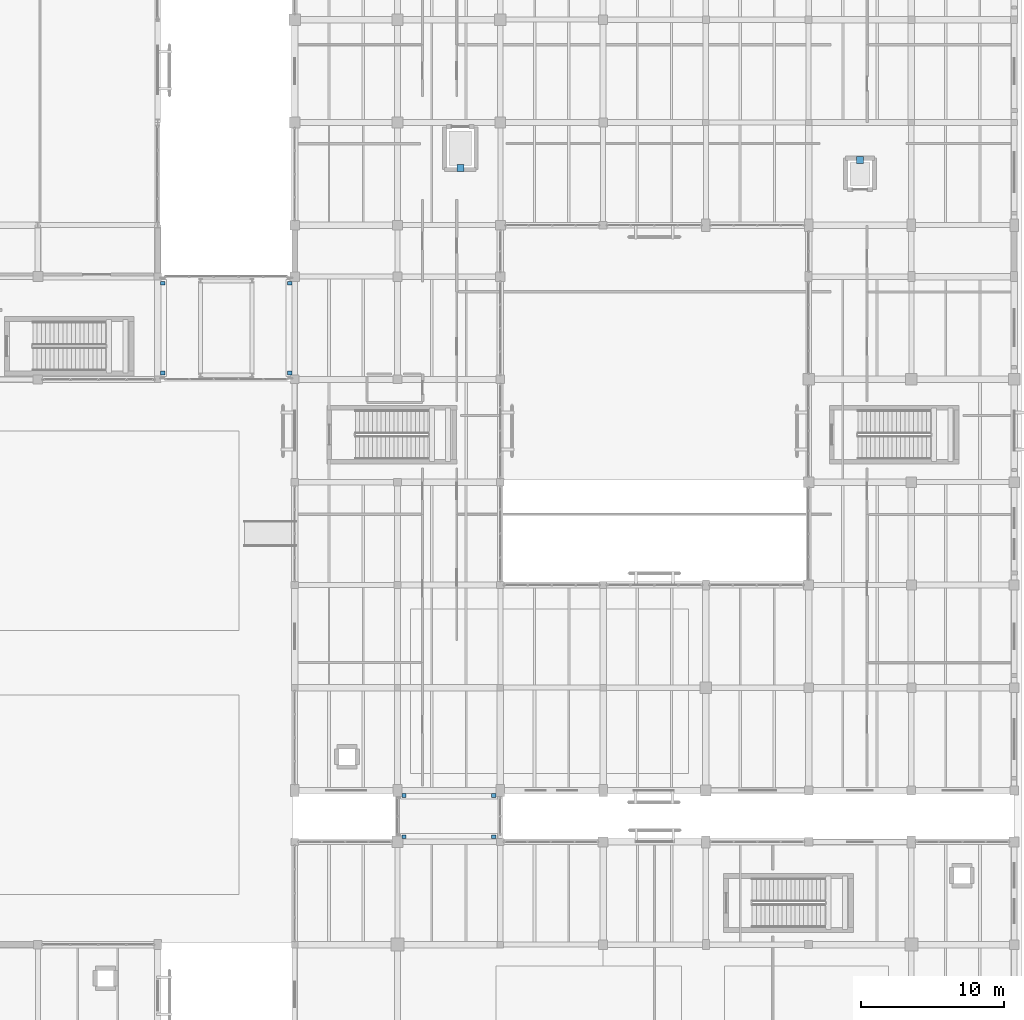
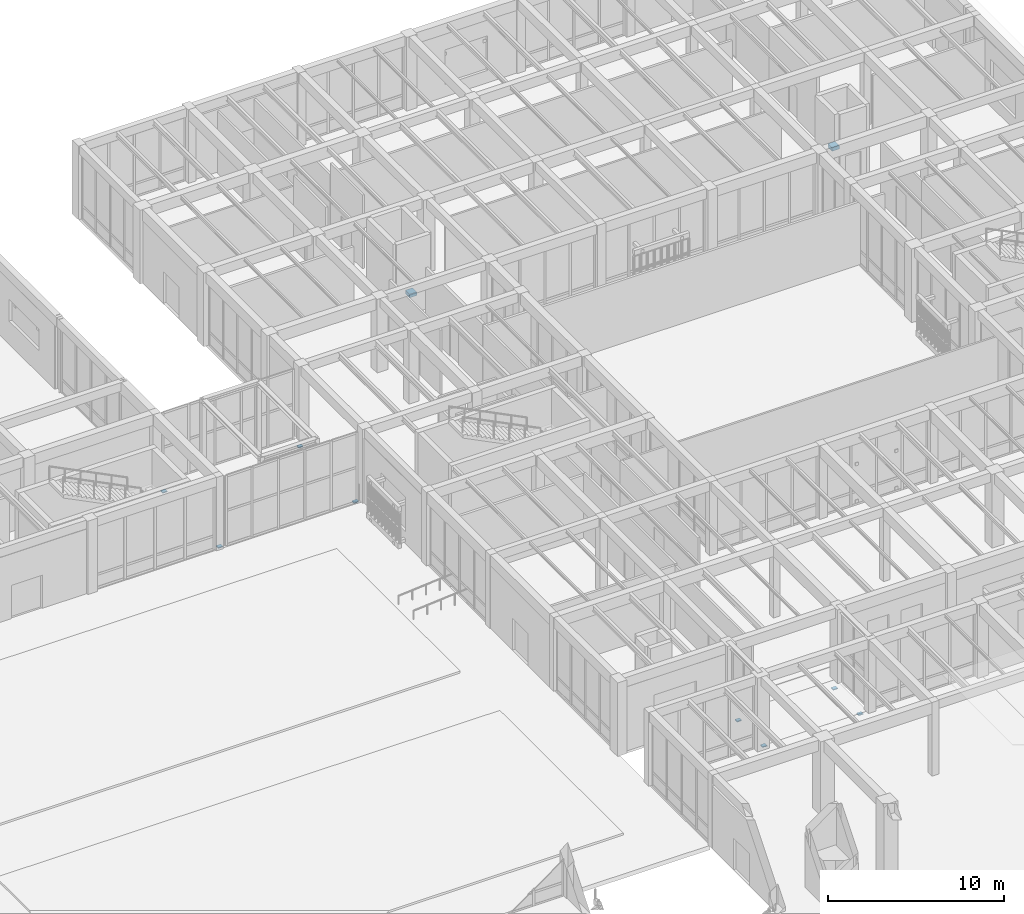
# One storey, part 141 of 169: 10 discrete accessories.
"""IFC4 building model written with IfcOpenShell, lengths in metres."""

from ifc_helpers import new_model, si_unit, direction, frame, origin, origin_2d, place, context, subcontext, project, spatial, rectangle, extrude, material, type_object, element, save


model = new_model("IFC4")

# Units and contexts
model_context = context("Model", 3, precision=1e-05, world=origin(), true_north=direction((0.0, 1.0)))
body_context = subcontext(model_context, "Body", "Model", "MODEL_VIEW")
ifc_project = project(units=[si_unit("LENGTHUNIT", "METRE"), si_unit("AREAUNIT", "SQUARE_METRE"), si_unit("VOLUMEUNIT", "CUBIC_METRE"), si_unit("PLANEANGLEUNIT", "RADIAN"), si_unit("MASSUNIT", "GRAM", prefix="KILO")], contexts=[model_context])

# Site, building, storey
site_placement = place(None, origin())
site = spatial("IfcSite", under=ifc_project, at=site_placement, CompositionType="ELEMENT")
building_placement = place(site_placement, origin())
building = spatial("IfcBuilding", under=site, at=building_placement, Name="Mazaris Harbour Polytechnic", CompositionType="ELEMENT")
storey_placement = place(building_placement, origin())
storey = spatial("IfcBuildingStorey", under=building, at=storey_placement, Name="L00", CompositionType="ELEMENT", Elevation=0.0)

# Discrete accessories
ifc_material_1 = material(Name="Steel S355", Category="steel")
discrete_accessory_type_1 = type_object("IfcDiscreteAccessoryType", Name="PTFE Sliding Bridge Bearing 300x250x65 Exterior", PredefinedType="BRACKET", material=ifc_material_1)
for number, where, z_axis, x_axis, name in (
    (1, (113.14990234375, 76.050048828125, -0.330078125), (0.0, 0.0, 1.0), (1.0, 0.0, 0.0), "PB-E2 L00 PTFE Sliding Bearing W1"),
    (2, (113.14990234375, 82.35009765625, -0.330078125), (0.0, 0.0, 1.0), (1.0, 0.0, 0.0), "PB-E2 L00 PTFE Sliding Bearing W2"),
    (3, (122.050048828125, 76.050048828125, -0.330078125), (0.0, 0.0, 1.0), (1.0, 0.0, 0.0), "PB-E2 L00 PTFE Sliding Bearing E1"),
    (4, (122.050048828125, 82.35009765625, -0.330078125), (0.0, 0.0, 1.0), (1.0, 0.0, 0.0), "PB-E2 L00 PTFE Sliding Bearing E2"),
    (5, (130.050048828125, 43.550048828125, -0.330078125), (0.0, 0.0, 1.0), (1.0, 0.0, 0.0), "PB-NE L00 PTFE Sliding Bearing S1"),
    (6, (136.35009765625, 43.550048828125, -0.330078125), (0.0, 0.0, 1.0), (1.0, 0.0, 0.0), "PB-NE L00 PTFE Sliding Bearing S2"),
    (7, (130.050048828125, 46.449951171875, -0.330078125), (0.0, 0.0, 1.0), (1.0, 0.0, 0.0), "PB-NE L00 PTFE Sliding Bearing N1"),
    (8, (136.35009765625, 46.449951171875, -0.330078125), (0.0, 0.0, 1.0), (1.0, 0.0, 0.0), "PB-NE L00 PTFE Sliding Bearing N2"),
):
    element("IfcDiscreteAccessory", number, at=place(storey_placement, frame(where, z_axis=z_axis, x_axis=x_axis)), inside=storey, type_object=discrete_accessory_type_1, Name=name, PredefinedType="BRACKET", context=body_context, shape_type="SweptSolid", body=[
        extrude(rectangle(XDim=0.300048828125, YDim=0.25, at=origin_2d()), origin(), (0.0, 0.0, 1.0), 0.06494140625),
    ])
ifc_material_2 = material(Name="Stainless Steel S355", Category="steel")
discrete_accessory_type_2 = type_object("IfcDiscreteAccessoryType", Name="Stainless Lift Guide Rail Bracket 480x480x240", PredefinedType="BRACKET", material=ifc_material_2)
for number, where, z_axis, x_axis, name in (
    (9, (134.0, 90.419921875, 1.1298828125), (0.0, 0.0, 1.0), (1.0, 0.0, 0.0), "Lift LF-02 Guide Rail Bracket"),
    (10, (162.0, 90.97998046875, 1.1298828125), (0.0, 0.0, 1.0), (1.0, 0.0, 0.0), "Lift LP-04 Guide Rail Bracket"),
):
    element("IfcDiscreteAccessory", number, at=place(storey_placement, frame(where, z_axis=z_axis, x_axis=x_axis)), inside=storey, type_object=discrete_accessory_type_2, Name=name, PredefinedType="BRACKET", context=body_context, shape_type="SweptSolid", body=[
        extrude(rectangle(XDim=0.47998046875, YDim=0.47998046875, at=origin_2d()), origin(), (0.0, 0.0, 1.0), 0.239990234375),
    ])

save(model, "model.ifc")
